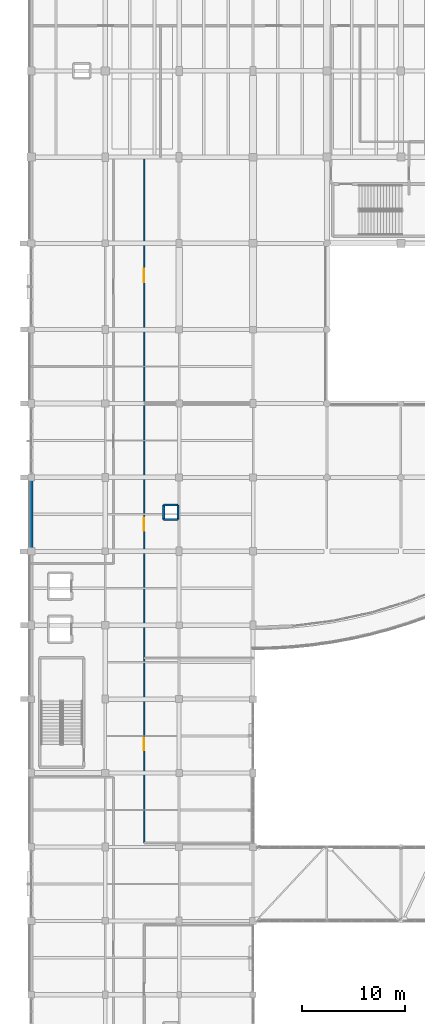
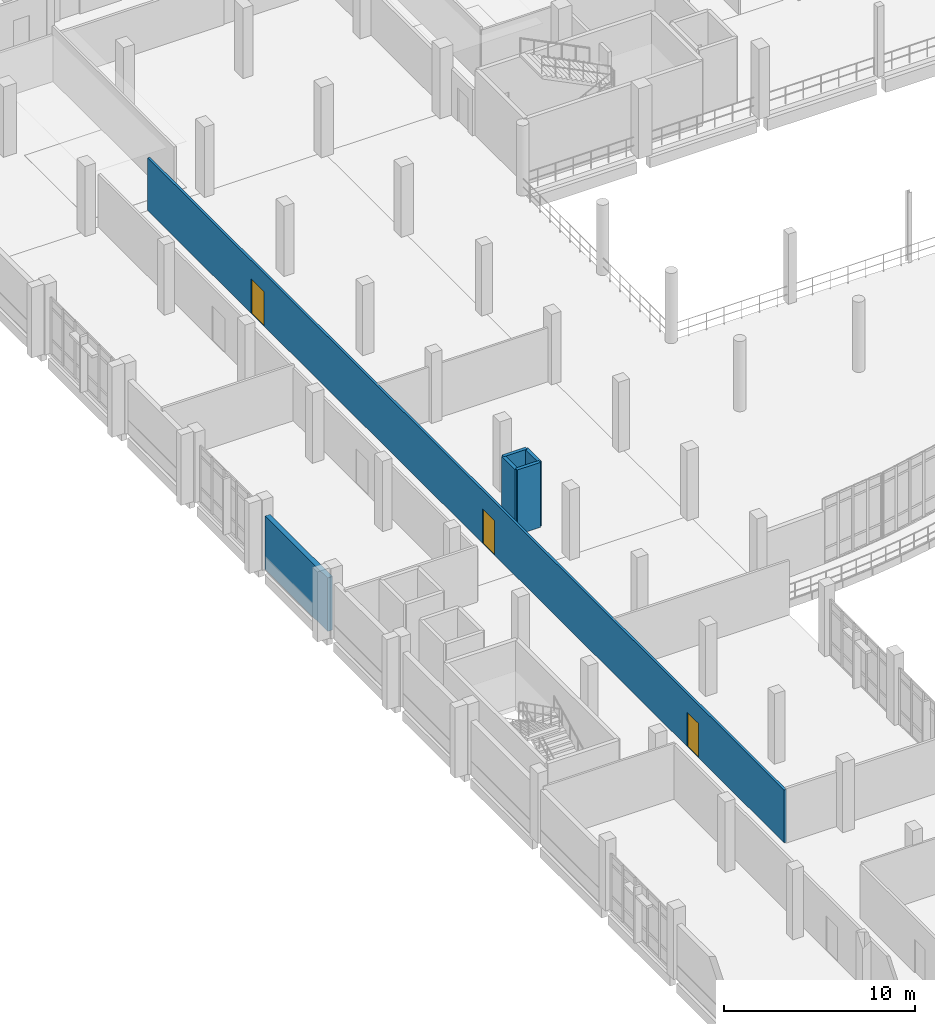
# One storey, part 101 of 116: 6 walls, 3 doors, 3 openings.
"""IFC4 building model written with IfcOpenShell, lengths in metres."""

import ifcopenshell
import ifcopenshell.guid

model = None  # the IFC model being written
_history = None  # IfcOwnerHistory: only IFC2X3 demands one
_inside = {}  # id of a spatial element -> (the spatial element, [elements in it])
_under = {}  # id of a project, library or spatial element -> (it, [spatial elements below it])
_declared = {}  # id of a project -> (the project, [libraries it declares])
_typed = {}  # id of a type object -> (the type object, [elements of that type])
_made_of = {}  # id of a material, layer set ... -> (it, [elements and type objects made of it])


def new_model(schema):
    """Start an empty IFC model of exactly this schema.

    Asked for "IFC4X3", IfcOpenShell would pick the latest addendum, in which some entities
    have other attributes; the version numbers below select the first issue.
    IFC2X3 requires an IfcOwnerHistory on every rooted entity: one is made here for all.
    """
    global model, _history
    if schema == "IFC4X3":
        model = ifcopenshell.file(schema_version=(4, 3, 0, 0))
    else:
        model = ifcopenshell.file(schema=schema)
    _inside.clear()
    _under.clear()
    _declared.clear()
    _typed.clear()
    _made_of.clear()
    _history = None
    if model.schema == "IFC2X3":
        org = make("IfcOrganization", Name="unknown")
        user = make(
            "IfcPersonAndOrganization",
            ThePerson=make("IfcPerson", FamilyName="unknown"),
            TheOrganization=org,
        )
        app = make(
            "IfcApplication",
            ApplicationDeveloper=org,
            Version="unknown",
            ApplicationFullName="unknown",
            ApplicationIdentifier="unknown",
        )
        _history = make(
            "IfcOwnerHistory",
            OwningUser=user,
            OwningApplication=app,
            ChangeAction="ADDED",
            CreationDate=0,
        )
    return model


def make(cls, **values):
    """One entity of the class cls with the attributes given. An attribute that is None is left unset."""
    return model.create_entity(
        cls, **{name: value for name, value in values.items() if value is not None}
    )


def rooted(cls, **values):
    """An entity with a GlobalId (a new one), such as an element, a storey or a relation."""
    return make(cls, GlobalId=ifcopenshell.guid.new(), OwnerHistory=_history, **values)


def si_unit(unit_type, name, prefix=None):
    """IfcSIUnit, for example si_unit("LENGTHUNIT", "METRE", prefix="MILLI")."""
    return make("IfcSIUnit", UnitType=unit_type, Prefix=prefix, Name=name)


def assignment(units):
    """IfcUnitAssignment: the units of a project."""
    return None if units is None else make("IfcUnitAssignment", Units=units)


def point(xyz):
    """IfcCartesianPoint."""
    return None if xyz is None else make("IfcCartesianPoint", Coordinates=xyz)


def direction(xyz):
    """IfcDirection."""
    return None if xyz is None else make("IfcDirection", DirectionRatios=xyz)


def frame(location, z_axis=None, x_axis=None):
    """IfcAxis2Placement3D, a coordinate frame: its origin and axes. An axis left out is left unset."""
    return make(
        "IfcAxis2Placement3D",
        Location=point(location),
        Axis=direction(z_axis),
        RefDirection=direction(x_axis),
    )


def frame_2d(location, x_axis=None):
    """IfcAxis2Placement2D, a coordinate frame in the plane: its origin and x axis."""
    return make(
        "IfcAxis2Placement2D", Location=point(location), RefDirection=direction(x_axis)
    )


def origin():
    """The frame at (0, 0, 0) with its axes left unset."""
    return frame((0.0, 0.0, 0.0))


def place(relative_to, where):
    """IfcLocalPlacement: puts the frame where relative to a parent placement (None: the world)."""
    return make(
        "IfcLocalPlacement", PlacementRelTo=relative_to, RelativePlacement=where
    )


def context(
    kind, dimensions, precision=None, world=None, true_north=None, identifier=None
):
    """IfcGeometricRepresentationContext, for example the 3D "Model" context."""
    return make(
        "IfcGeometricRepresentationContext",
        ContextIdentifier=identifier,
        ContextType=kind,
        CoordinateSpaceDimension=dimensions,
        Precision=precision,
        WorldCoordinateSystem=world,
        TrueNorth=true_north,
    )


def subcontext(parent, identifier, kind, view, scale=None):
    """IfcGeometricRepresentationSubContext, for example "Body" below "Model"."""
    return make(
        "IfcGeometricRepresentationSubContext",
        ContextIdentifier=identifier,
        ContextType=kind,
        ParentContext=parent,
        TargetScale=scale,
        TargetView=view,
    )


def project(units=None, contexts=None):
    """IfcProject with its units and contexts."""
    return rooted(
        "IfcProject",
        Name="project",
        RepresentationContexts=contexts,
        UnitsInContext=assignment(units),
    )


def spatial(cls, under=None, at=None, **own):
    """A site, building, storey or space (cls), placed at a placement, below another one or the project."""
    s = rooted(cls, ObjectPlacement=at, **own)
    if under is not None:
        _under.setdefault(under.id(), (under, []))[1].append(s)
    return s


def profile(cls, at=None, kind="AREA", **sizes):
    """A parametric profile (cls). Its sizes go by their IFC names, for example OverallWidth=200.0."""
    return make(cls, ProfileType=kind, Position=at, **sizes)


def rectangle(**sizes):
    """IfcRectangleProfileDef."""
    return profile("IfcRectangleProfileDef", **sizes)


def extrude(swept, where, along, depth):
    """IfcExtrudedAreaSolid: the profile swept, set in the frame where, extruded along a direction by depth."""
    return make(
        "IfcExtrudedAreaSolid",
        SweptArea=swept,
        Position=where,
        ExtrudedDirection=direction(along),
        Depth=depth,
    )


def shape(context_of_items, identifier, shape_type, items):
    """IfcShapeRepresentation: the items that make up one representation, for example the "Body"."""
    return make(
        "IfcShapeRepresentation",
        ContextOfItems=context_of_items,
        RepresentationIdentifier=identifier,
        RepresentationType=shape_type,
        Items=items,
    )


def material(Name=None, Category=None):
    """IfcMaterial."""
    return make("IfcMaterial", Name=Name, Category=Category)


def layer(
    of_material, thickness, ventilated=None, Name=None, Category=None, Priority=None
):
    """IfcMaterialLayer: one layer of a wall or slab, of a material (None: an air gap)."""
    return make(
        "IfcMaterialLayer",
        Material=of_material,
        LayerThickness=thickness,
        IsVentilated=ventilated,
        Name=Name,
        Category=Category,
        Priority=Priority,
    )


def layer_set(layers, Name=None):
    """IfcMaterialLayerSet."""
    return make("IfcMaterialLayerSet", MaterialLayers=layers, LayerSetName=Name)


def made_of(thing, what):
    """Note that an element or type object is made of a material, layer set ...; save() writes the relation."""
    if what is not None:
        _made_of.setdefault(what.id(), (what, []))[1].append(thing)
    return thing


def type_object(cls, material=None, **own):
    """A type object (cls), such as IfcWallType, which elements share."""
    return made_of(rooted(cls, **own), material)


def element(
    cls,
    number,
    at=None,
    inside=None,
    cuts=None,
    type_object=None,
    material=None,
    context=None,
    identifier="Body",
    shape_type=None,
    held_by="IfcProductDefinitionShape",
    body=None,
    shapes=None,
    **own,
):
    """One element of the class cls, such as IfcWall. Its Tag is "e" and its number.

    at: its placement. inside: the storey or other place that contains it. cuts: it is an
    opening in that element (IfcRelVoidsElement). A single representation is given by context,
    identifier, shape_type and body (its items); several are given by shapes. held_by: the class
    of the entity that holds the representations. save() writes the other relations.
    """
    e = rooted(cls, Tag="e%d" % number, ObjectPlacement=at, **own)
    if body is not None:
        shapes = [shape(context, identifier, shape_type, body)]
    if shapes is not None:
        e.Representation = make(held_by, Representations=shapes)
    if inside is not None:
        _inside.setdefault(inside.id(), (inside, []))[1].append(e)
    if cuts is not None:
        rooted(
            "IfcRelVoidsElement", RelatingBuildingElement=cuts, RelatedOpeningElement=e
        )
    if type_object is not None:
        _typed.setdefault(type_object.id(), (type_object, []))[1].append(e)
    return made_of(e, material)


def fill(opening, filler):
    """IfcRelFillsElement: the door or window that sits in an opening."""
    return rooted(
        "IfcRelFillsElement",
        RelatingOpeningElement=opening,
        RelatedBuildingElement=filler,
    )


def aggregate(whole, parts):
    """IfcRelAggregates: a whole, such as a stair, and the parts it consists of."""
    return rooted("IfcRelAggregates", RelatingObject=whole, RelatedObjects=parts)


def save(model, path):
    """Write the relations noted so far, then the file.

    IfcRelAggregates (storeys below a building ...), IfcRelContainedInSpatialStructure (elements
    in a storey), IfcRelDefinesByType, IfcRelAssociatesMaterial and IfcRelDeclares: one each for
    every whole, place, type object, material and project.
    """
    for whole, parts in _under.values():
        aggregate(whole, parts)
    for where, things in _inside.values():
        rooted(
            "IfcRelContainedInSpatialStructure",
            RelatedElements=things,
            RelatingStructure=where,
        )
    for kind, things in _typed.values():
        rooted("IfcRelDefinesByType", RelatedObjects=things, RelatingType=kind)
    for what, things in _made_of.values():
        rooted("IfcRelAssociatesMaterial", RelatedObjects=things, RelatingMaterial=what)
    for by, libraries in _declared.values():
        rooted("IfcRelDeclares", RelatingContext=by, RelatedDefinitions=libraries)
    model.write(path)


model = new_model("IFC4")

# Units and contexts
model_context = context("Model", 3, precision=1e-05, world=origin(), true_north=direction((0.0, 1.0)))
body_context = subcontext(model_context, "Body", "Model", "MODEL_VIEW")
ifc_project = project(units=[si_unit("LENGTHUNIT", "METRE"), si_unit("AREAUNIT", "SQUARE_METRE"), si_unit("VOLUMEUNIT", "CUBIC_METRE"), si_unit("PLANEANGLEUNIT", "RADIAN"), si_unit("MASSUNIT", "GRAM", prefix="KILO")], contexts=[model_context])

# Site, building, storey
site_placement = place(None, origin())
site = spatial("IfcSite", under=ifc_project, at=site_placement, CompositionType="ELEMENT")
building_placement = place(site_placement, origin())
building = spatial("IfcBuilding", under=site, at=building_placement, Name="Kalluvel Institute of Natural Sciences", CompositionType="ELEMENT")
storey_placement = place(building_placement, frame((0.0, 0.0, 14.39990234375)))
storey = spatial("IfcBuildingStorey", under=building, at=storey_placement, Name="L03", CompositionType="ELEMENT", Elevation=14.39990234375)

# Wall
ifc_material_1 = material(Name="Sadarahalli Grey Granite Ashlar Concrete M40", Category="masonry")
ifc_layer_1 = layer(ifc_material_1, 0.300048828125)
ifc_layer_set_1 = layer_set([ifc_layer_1], Name="Sadarahalli Grey Granite Ashlar Concrete M40")
wall_type_1 = type_object("IfcWallType", Name="WL-EXT-300", PredefinedType="SOLIDWALL", material=ifc_layer_set_1)
wall_1_placement = place(storey_placement, frame((14.0, 64.72998046875, 0.0), z_axis=(0.0, 0.0, 1.0), x_axis=(0.0, 1.0, 0.0)))
element("IfcWall", 1, at=wall_1_placement, inside=storey, type_object=wall_type_1, Name="L03 Sadarahalli granite exterior wall WL-EXT-L03-0174", PredefinedType="SOLIDWALL", context=body_context, shape_type="SweptSolid", body=[
    extrude(rectangle(XDim=6.56494140625, YDim=0.300048828125, at=frame_2d((3.282470703125, 0.0))), origin(), (0.0, 0.0, 1.0), 3.425048828125),
])

# Wall, openings, doors
ifc_material_2 = material(Name="Acoustic Gypsum Twin-Stud Partition", Category="gypsum")
ifc_layer_2 = layer(ifc_material_2, 0.139892578125)
ifc_layer_set_2 = layer_set([ifc_layer_2], Name="Acoustic Gypsum Twin-Stud Partition")
wall_type_2 = type_object("IfcWallType", Name="WL-PART-140", PredefinedType="PARTITIONING", material=ifc_layer_set_2)
wall_2_placement = place(storey_placement, frame((25.0, 36.0, 0.0), z_axis=(0.0, 0.0, 1.0), x_axis=(0.0, 1.0, 0.0)))
wall_2 = element("IfcWall", 2, at=wall_2_placement, inside=storey, type_object=wall_type_2, Name="L03 interior partition wall WL-INT-L03-0192", PredefinedType="PARTITIONING", context=body_context, shape_type="SweptSolid", body=[
    extrude(rectangle(XDim=66.800048828125, YDim=0.139892578125, at=frame_2d((33.39990234375, 0.0))), origin(), (0.0, 0.0, 1.0), 3.380126953125),
])
opening_1_placement = place(wall_2_placement, frame((9.0, 0.0, 0.0)))
opening_1 = element("IfcOpeningElement", 3, at=opening_1_placement, cuts=wall_2, Name="Opening D-162", PredefinedType="OPENING", context=body_context, shape_type="SweptSolid", body=[
    extrude(rectangle(XDim=1.179931640625, YDim=2.199951171875, at=frame_2d((0.58984375, 1.10009765625))), frame((0.0, 0.079833984375, 0.0), z_axis=(0.0, -1.0, 0.0), x_axis=(1.0, 0.0, 0.0)), (0.0, 0.0, 1.0), 0.159912109375),
])
opening_2_placement = place(wall_2_placement, frame((30.39990234375, 0.0, 0.0)))
opening_2 = element("IfcOpeningElement", 4, at=opening_2_placement, cuts=wall_2, Name="Opening D-163", PredefinedType="OPENING", context=body_context, shape_type="SweptSolid", body=[
    extrude(rectangle(XDim=1.25, YDim=2.199951171875, at=frame_2d((0.625, 1.10009765625))), frame((0.0, 0.079833984375, 0.0), z_axis=(0.0, -1.0, 0.0), x_axis=(1.0, 0.0, 0.0)), (0.0, 0.0, 1.0), 0.159912109375),
])
opening_3_placement = place(wall_2_placement, frame((54.60009765625, 0.0, 0.0)))
opening_3 = element("IfcOpeningElement", 5, at=opening_3_placement, cuts=wall_2, Name="Opening D-164", PredefinedType="OPENING", context=body_context, shape_type="SweptSolid", body=[
    extrude(rectangle(XDim=1.35009765625, YDim=2.199951171875, at=frame_2d((0.675048828125, 1.10009765625))), frame((0.0, 0.079833984375, 0.0), z_axis=(0.0, -1.0, 0.0), x_axis=(1.0, 0.0, 0.0)), (0.0, 0.0, 1.0), 0.159912109375),
])
ifc_material_3 = material(Name="Engineered Hardwood Acoustic Leaf", Category="wood")
door_type_1 = type_object("IfcDoorType", Name="DR-INT-1180", OperationType="NOTDEFINED", PredefinedType="DOOR", material=ifc_material_3)
door_1_placement = place(opening_1_placement, origin())
door_1 = element("IfcDoor", 6, at=door_1_placement, inside=storey, type_object=door_type_1, Name="Transcriptomics and Systems Biology Seminar Room door D-162", OperationType="SINGLE_SWING_RIGHT", OverallHeight=2.199951171875, OverallWidth=1.179931640625, PredefinedType="DOOR", context=body_context, shape_type="SweptSolid", body=[
    extrude(rectangle(XDim=1.179931640625, YDim=2.199951171875, at=frame_2d((0.58984375, 1.10009765625))), frame((0.0, 0.02490234375, 0.0), z_axis=(0.0, -1.0, 0.0), x_axis=(1.0, 0.0, 0.0)), (0.0, 0.0, 1.0), 0.050048828125),
])
fill(opening_1, door_1)
door_type_2 = type_object("IfcDoorType", Name="DR-INT-1250", OperationType="NOTDEFINED", PredefinedType="DOOR", material=ifc_material_3)
door_2_placement = place(opening_2_placement, origin())
door_2 = element("IfcDoor", 7, at=door_2_placement, inside=storey, type_object=door_type_2, Name="Structural Bioinformatics Write-Up Studio door D-163", OperationType="SINGLE_SWING_LEFT", OverallHeight=2.199951171875, OverallWidth=1.25, PredefinedType="DOOR", context=body_context, shape_type="SweptSolid", body=[
    extrude(rectangle(XDim=1.25, YDim=2.199951171875, at=frame_2d((0.625, 1.10009765625))), frame((0.0, 0.02490234375, 0.0), z_axis=(0.0, -1.0, 0.0), x_axis=(1.0, 0.0, 0.0)), (0.0, 0.0, 1.0), 0.050048828125),
])
fill(opening_2, door_2)
ifc_material_4 = material(Name="Aluminium AW-6063 T6", Category="aluminium")
door_type_3 = type_object("IfcDoorType", Name="DR-INT-1350", OperationType="NOTDEFINED", PredefinedType="DOOR", material=ifc_material_4)
door_3_placement = place(opening_3_placement, origin())
door_3 = element("IfcDoor", 8, at=door_3_placement, inside=storey, type_object=door_type_3, Name="Doctoral Scholars Collaborative Write-Up Suite door D-164", OperationType="SINGLE_SWING_RIGHT", OverallHeight=2.199951171875, OverallWidth=1.35009765625, PredefinedType="DOOR", context=body_context, shape_type="SweptSolid", body=[
    extrude(rectangle(XDim=1.35009765625, YDim=2.199951171875, at=frame_2d((0.675048828125, 1.10009765625))), frame((0.0, 0.02490234375, 0.0), z_axis=(0.0, -1.0, 0.0), x_axis=(1.0, 0.0, 0.0)), (0.0, 0.0, 1.0), 0.050048828125),
])
fill(opening_3, door_3)

# Walls
ifc_material_5 = material(Name="Concrete M40", Category="concrete")
ifc_layer_3 = layer(ifc_material_5, 0.199951171875)
ifc_layer_set_3 = layer_set([ifc_layer_3], Name="Concrete M40")
wall_type_3 = type_object("IfcWallType", Name="WL-RISER-200", PredefinedType="SHEAR", material=ifc_layer_set_3)
wall_3_placement = place(storey_placement, frame((26.89990234375, 67.5, 0.0), z_axis=(0.0, 0.0, 1.0), x_axis=(1.0, 0.0, 0.0)))
element("IfcWall", 9, at=wall_3_placement, inside=storey, type_object=wall_type_3, Name="RS-DRY-N L03 service riser enclosure S", PredefinedType="SHEAR", context=body_context, shape_type="SweptSolid", body=[
    extrude(rectangle(XDim=1.400146484375, YDim=0.199951171875, at=frame_2d((0.7001953125, 0.0))), origin(), (0.0, 0.0, 1.0), 4.16015625),
])
wall_4_placement = place(storey_placement, frame((28.300048828125, 67.5, 0.0), z_axis=(0.0, 0.0, 1.0), x_axis=(0.0, 1.0, 0.0)))
element("IfcWall", 10, at=wall_4_placement, inside=storey, type_object=wall_type_3, Name="RS-DRY-N L03 service riser enclosure E", PredefinedType="SHEAR", context=body_context, shape_type="SweptSolid", body=[
    extrude(rectangle(XDim=1.39990234375, YDim=0.199951171875, at=frame_2d((0.699951171875, 0.0))), origin(), (0.0, 0.0, 1.0), 4.16015625),
])
wall_5_placement = place(storey_placement, frame((28.300048828125, 68.89990234375, 0.0), z_axis=(0.0, 0.0, 1.0), x_axis=(-1.0, 0.0, 0.0)))
element("IfcWall", 11, at=wall_5_placement, inside=storey, type_object=wall_type_3, Name="RS-DRY-N L03 service riser enclosure N", PredefinedType="SHEAR", context=body_context, shape_type="SweptSolid", body=[
    extrude(rectangle(XDim=1.400146484375, YDim=0.199951171875, at=frame_2d((0.7001953125, 0.0))), origin(), (0.0, 0.0, 1.0), 4.16015625),
])
wall_6_placement = place(storey_placement, frame((26.89990234375, 68.89990234375, 0.0), z_axis=(0.0, 0.0, 1.0), x_axis=(0.0, -1.0, 0.0)))
element("IfcWall", 12, at=wall_6_placement, inside=storey, type_object=wall_type_3, Name="RS-DRY-N L03 service riser enclosure W", PredefinedType="SHEAR", context=body_context, shape_type="SweptSolid", body=[
    extrude(rectangle(XDim=1.39990234375, YDim=0.199951171875, at=frame_2d((0.699951171875, 0.0))), origin(), (0.0, 0.0, 1.0), 4.16015625),
])

save(model, "model.ifc")
